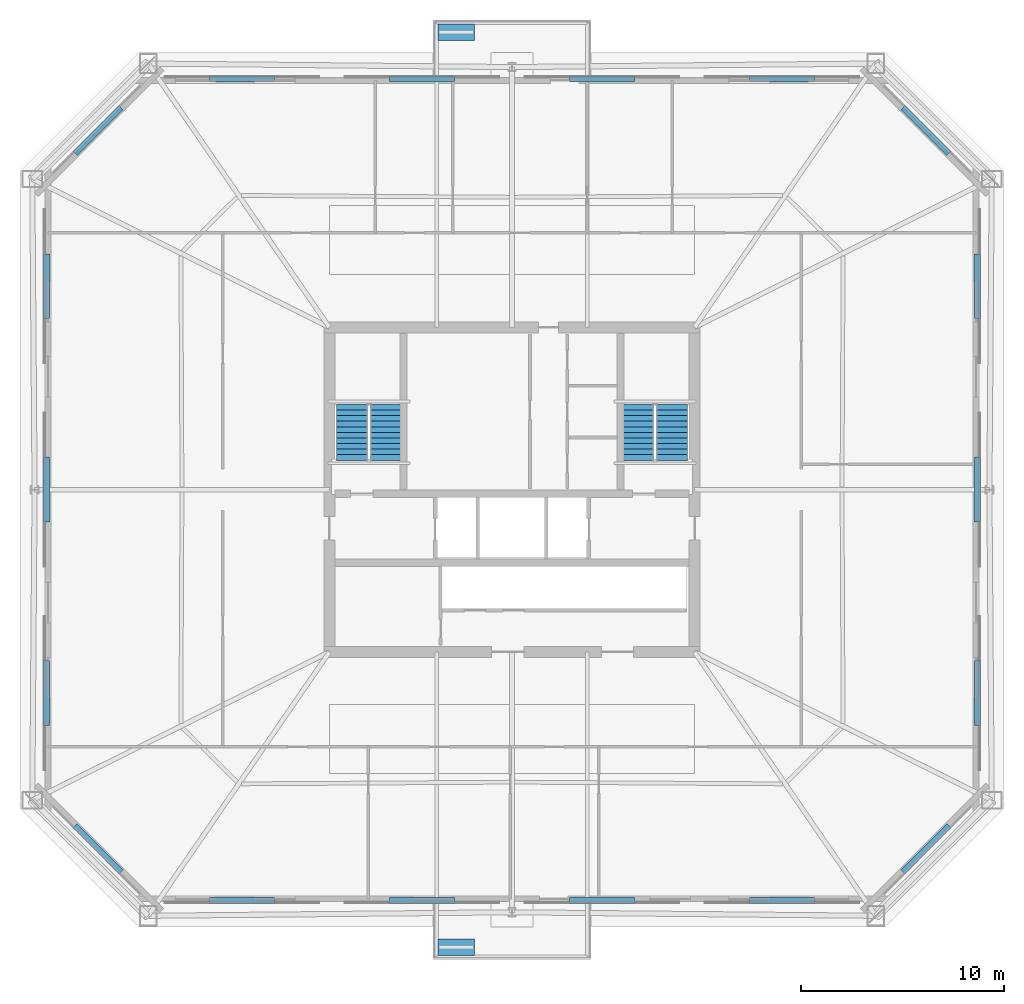
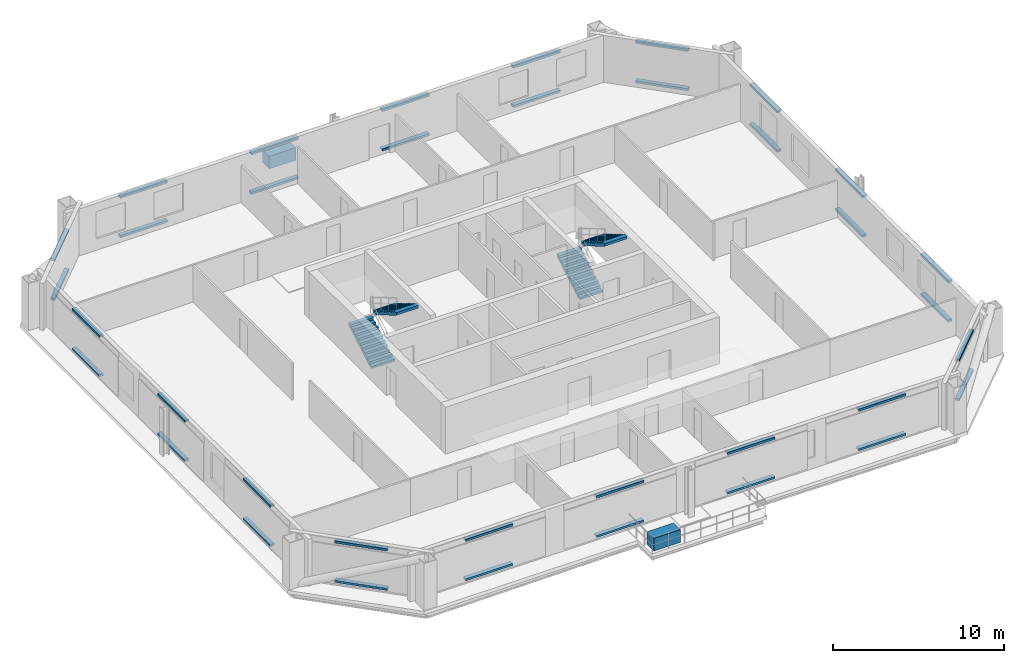
# One storey, part 5 of 7: 38 discrete accessories, 4 stair flights, 2 elements without a shape of their own.
"""IFC4 building model written with IfcOpenShell, lengths in metres."""

from ifc_helpers import new_model, si_unit, direction, frame, origin, origin_2d, place, context, subcontext, project, spatial, polyline, rectangle, outline, extrude, material, type_object, element, aggregate, save


model = new_model("IFC4")

# Units and contexts
model_context = context("Model", 3, precision=1e-05, world=origin(), true_north=direction((0.0, 1.0)))
body_context = subcontext(model_context, "Body", "Model", "MODEL_VIEW")
ifc_project = project(units=[si_unit("LENGTHUNIT", "METRE"), si_unit("AREAUNIT", "SQUARE_METRE"), si_unit("VOLUMEUNIT", "CUBIC_METRE"), si_unit("PLANEANGLEUNIT", "RADIAN"), si_unit("MASSUNIT", "GRAM", prefix="KILO")], contexts=[model_context])

# Site, building, storey
site_placement = place(None, origin())
site = spatial("IfcSite", under=ifc_project, at=site_placement, CompositionType="ELEMENT")
building_placement = place(site_placement, origin())
building = spatial("IfcBuilding", under=site, at=building_placement, Name="Caelvoria Tower", CompositionType="ELEMENT")
storey_placement = place(building_placement, frame((0.0, 0.0, 109.60009765625)))
storey = spatial("IfcBuildingStorey", under=building, at=storey_placement, Name="L28", CompositionType="ELEMENT", Elevation=109.60009765625)

# Stair, stair flights
ifc_material_1 = material(Name="Concrete C40/50", Category="concrete")
stair_type = type_object("IfcStairType", Name="Core Smokeproof Dogleg Stair Concrete C40/50", PredefinedType="HALF_TURN_STAIR", material=ifc_material_1)
stair_1_placement = place(storey_placement, origin())
stair_1 = element("IfcStair", 1, at=stair_1_placement, inside=storey, type_object=stair_type, Name="ST-01 Smokeproof Exit Stair L28", PredefinedType="HALF_TURN_STAIR")
ifc_material_2 = material(Name="Precast Concrete C40/50", Category="concrete")
stair_flight_type = type_object("IfcStairFlightType", Name="Precast Concrete C40/50 Stair Flight 1480", PredefinedType="STRAIGHT", material=ifc_material_2)
stair_flight_1_placement = place(storey_placement, frame((38.1298828125, 33.449951171875, 0.0), z_axis=(0.0, 0.0, 1.0), x_axis=(0.0, 1.0, 0.0)))
stair_flight_1 = element("IfcStairFlight", 2, at=stair_flight_1_placement, type_object=stair_flight_type, Name="ST-01 flight 1", NumberOfRisers=11, NumberOfTreads=10, PredefinedType="STRAIGHT", RiserHeight=0.1636, TreadLength=0.275, context=body_context, shape_type="SweptSolid", body=[
    extrude(outline(polyline([(0.0, 0.0), (0.0, 0.16357421875), (0.27490234375, 0.16357421875), (0.27490234375, 0.3271484375), (0.550048828125, 0.3271484375), (0.550048828125, 0.49072265625), (0.824951171875, 0.49072265625), (0.824951171875, 0.654296875), (1.10009765625, 0.654296875), (1.10009765625, 0.818115234375), (1.375, 0.818115234375), (1.375, 0.981689453125), (1.64990234375, 0.981689453125), (1.64990234375, 1.145263671875), (1.925048828125, 1.145263671875), (1.925048828125, 1.308837890625), (2.199951171875, 1.308837890625), (2.199951171875, 1.472412109375), (2.47509765625, 1.472412109375), (2.47509765625, 1.635986328125), (2.75, 1.635986328125), (2.75, 1.799560546875), (2.75, 1.449951171875), (0.312744140625, 0.0), (0.0, 0.0)])), frame((0.0, 0.77001953125, 0.0), z_axis=(0.0, -1.0, 0.0), x_axis=(1.0, 0.0, 0.0)), (0.0, 0.0, 1.0), 1.5400390625),
])
stair_flight_2_placement = place(storey_placement, frame((39.77001953125, 36.199951171875, 1.7998046875), z_axis=(0.0, 0.0, 1.0), x_axis=(0.0, -1.0, 0.0)))
stair_flight_2 = element("IfcStairFlight", 3, at=stair_flight_2_placement, type_object=stair_flight_type, Name="ST-01 flight 2", NumberOfRisers=11, NumberOfTreads=10, PredefinedType="STRAIGHT", RiserHeight=0.1636, TreadLength=0.275, context=body_context, shape_type="SweptSolid", body=[
    extrude(outline(polyline([(0.0, 0.0), (0.0, 0.16357421875), (0.27490234375, 0.16357421875), (0.27490234375, 0.3271484375), (0.550048828125, 0.3271484375), (0.550048828125, 0.49072265625), (0.824951171875, 0.49072265625), (0.824951171875, 0.654296875), (1.10009765625, 0.654296875), (1.10009765625, 0.818115234375), (1.375, 0.818115234375), (1.375, 0.981689453125), (1.64990234375, 0.981689453125), (1.64990234375, 1.145263671875), (1.925048828125, 1.145263671875), (1.925048828125, 1.308837890625), (2.199951171875, 1.308837890625), (2.199951171875, 1.472412109375), (2.47509765625, 1.472412109375), (2.47509765625, 1.635986328125), (2.75, 1.635986328125), (2.75, 1.799560546875), (2.75, 1.449951171875), (0.312744140625, 0.0), (0.0, 0.0)])), frame((0.0, 0.77001953125, 0.0), z_axis=(0.0, -1.0, 0.0), x_axis=(1.0, 0.0, 0.0)), (0.0, 0.0, 1.0), 1.5400390625),
])
aggregate(stair_1, [stair_flight_1, stair_flight_2])

stair_2_placement = place(storey_placement, origin())
stair_2 = element("IfcStair", 4, at=stair_2_placement, inside=storey, type_object=stair_type, Name="ST-02 Smokeproof Exit Stair L28", PredefinedType="HALF_TURN_STAIR")
stair_flight_3_placement = place(storey_placement, frame((52.22998046875, 33.449951171875, 0.0), z_axis=(0.0, 0.0, 1.0), x_axis=(0.0, 1.0, 0.0)))
stair_flight_3 = element("IfcStairFlight", 5, at=stair_flight_3_placement, type_object=stair_flight_type, Name="ST-02 flight 1", NumberOfRisers=11, NumberOfTreads=10, PredefinedType="STRAIGHT", RiserHeight=0.1636, TreadLength=0.275, context=body_context, shape_type="SweptSolid", body=[
    extrude(outline(polyline([(0.0, 0.0), (0.0, 0.16357421875), (0.27490234375, 0.16357421875), (0.27490234375, 0.3271484375), (0.550048828125, 0.3271484375), (0.550048828125, 0.49072265625), (0.824951171875, 0.49072265625), (0.824951171875, 0.654296875), (1.10009765625, 0.654296875), (1.10009765625, 0.818115234375), (1.375, 0.818115234375), (1.375, 0.981689453125), (1.64990234375, 0.981689453125), (1.64990234375, 1.145263671875), (1.925048828125, 1.145263671875), (1.925048828125, 1.308837890625), (2.199951171875, 1.308837890625), (2.199951171875, 1.472412109375), (2.47509765625, 1.472412109375), (2.47509765625, 1.635986328125), (2.75, 1.635986328125), (2.75, 1.799560546875), (2.75, 1.449951171875), (0.312744140625, 0.0), (0.0, 0.0)])), frame((0.0, 0.77001953125, 0.0), z_axis=(0.0, -1.0, 0.0), x_axis=(1.0, 0.0, 0.0)), (0.0, 0.0, 1.0), 1.5400390625),
])
stair_flight_4_placement = place(storey_placement, frame((53.8701171875, 36.199951171875, 1.7998046875), z_axis=(0.0, 0.0, 1.0), x_axis=(0.0, -1.0, 0.0)))
stair_flight_4 = element("IfcStairFlight", 6, at=stair_flight_4_placement, type_object=stair_flight_type, Name="ST-02 flight 2", NumberOfRisers=11, NumberOfTreads=10, PredefinedType="STRAIGHT", RiserHeight=0.1636, TreadLength=0.275, context=body_context, shape_type="SweptSolid", body=[
    extrude(outline(polyline([(0.0, 0.0), (0.0, 0.16357421875), (0.27490234375, 0.16357421875), (0.27490234375, 0.3271484375), (0.550048828125, 0.3271484375), (0.550048828125, 0.49072265625), (0.824951171875, 0.49072265625), (0.824951171875, 0.654296875), (1.10009765625, 0.654296875), (1.10009765625, 0.818115234375), (1.375, 0.818115234375), (1.375, 0.981689453125), (1.64990234375, 0.981689453125), (1.64990234375, 1.145263671875), (1.925048828125, 1.145263671875), (1.925048828125, 1.308837890625), (2.199951171875, 1.308837890625), (2.199951171875, 1.472412109375), (2.47509765625, 1.472412109375), (2.47509765625, 1.635986328125), (2.75, 1.635986328125), (2.75, 1.799560546875), (2.75, 1.449951171875), (0.312744140625, 0.0), (0.0, 0.0)])), frame((0.0, 0.77001953125, 0.0), z_axis=(0.0, -1.0, 0.0), x_axis=(1.0, 0.0, 0.0)), (0.0, 0.0, 1.0), 1.5400390625),
])
aggregate(stair_2, [stair_flight_3, stair_flight_4])

# Discrete accessories
ifc_material_3 = material(Name="Anodised Bronze Stainless Bracket", Category="bronze")
discrete_accessory_type_1 = type_object("IfcDiscreteAccessoryType", Name="Solar Screen Outrigger Support Bracket", PredefinedType="BRACKET", material=ifc_material_3)
for number, where, z_axis, x_axis, name in (
    (7, (32.695068359375, 11.7529296875, 0.23974609375), (0.0, 0.0, 1.0), (1.0, 0.0, 0.0), "Solar Screen Bracket L28-E0-00"),
    (8, (32.695068359375, 11.7529296875, 3.06005859375), (0.0, 0.0, 1.0), (1.0, 0.0, 0.0), "Upper Screen Band Bracket L28-E0-00"),
    (9, (41.56494140625, 11.7529296875, 0.23974609375), (0.0, 0.0, 1.0), (1.0, 0.0, 0.0), "Solar Screen Bracket L28-E0-01"),
    (10, (41.56494140625, 11.7529296875, 3.06005859375), (0.0, 0.0, 1.0), (1.0, 0.0, 0.0), "Upper Screen Band Bracket L28-E0-01"),
    (11, (50.43505859375, 11.7529296875, 0.23974609375), (0.0, 0.0, 1.0), (1.0, 0.0, 0.0), "Solar Screen Bracket L28-E0-02"),
    (12, (50.43505859375, 11.7529296875, 3.06005859375), (0.0, 0.0, 1.0), (1.0, 0.0, 0.0), "Upper Screen Band Bracket L28-E0-02"),
    (13, (59.304931640625, 11.7529296875, 0.23974609375), (0.0, 0.0, 1.0), (1.0, 0.0, 0.0), "Solar Screen Bracket L28-E0-03"),
    (14, (59.304931640625, 11.7529296875, 3.06005859375), (0.0, 0.0, 1.0), (1.0, 0.0, 0.0), "Upper Screen Band Bracket L28-E0-03"),
    (15, (66.403564453125, 14.29638671875, 0.23974609375), (0.0, 0.0, 1.0), (0.707106781187, 0.707106781187, 0.0), "Solar Screen Bracket L28-E1-00"),
    (16, (66.403564453125, 14.29638671875, 3.06005859375), (0.0, 0.0, 1.0), (0.707106781187, 0.707106781187, 0.0), "Upper Screen Band Bracket L28-E1-00"),
    (17, (68.947021484375, 21.973388671875, 0.23974609375), (0.0, 0.0, 1.0), (0.0, 1.0, 0.0), "Solar Screen Bracket L28-E2-00"),
    (18, (68.947021484375, 21.973388671875, 3.06005859375), (0.0, 0.0, 1.0), (0.0, 1.0, 0.0), "Upper Screen Band Bracket L28-E2-00"),
    (19, (68.947021484375, 32.0, 0.23974609375), (0.0, 0.0, 1.0), (0.0, 1.0, 0.0), "Solar Screen Bracket L28-E2-01"),
    (20, (68.947021484375, 32.0, 3.06005859375), (0.0, 0.0, 1.0), (0.0, 1.0, 0.0), "Upper Screen Band Bracket L28-E2-01"),
    (21, (68.947021484375, 42.026611328125, 0.23974609375), (0.0, 0.0, 1.0), (0.0, 1.0, 0.0), "Solar Screen Bracket L28-E2-02"),
    (22, (68.947021484375, 42.026611328125, 3.06005859375), (0.0, 0.0, 1.0), (0.0, 1.0, 0.0), "Upper Screen Band Bracket L28-E2-02"),
    (23, (66.403564453125, 49.70361328125, 0.23974609375), (0.0, 0.0, 1.0), (-0.707106781187, 0.707106781187, 0.0), "Solar Screen Bracket L28-E3-00"),
    (24, (66.403564453125, 49.70361328125, 3.06005859375), (0.0, 0.0, 1.0), (-0.707106781187, 0.707106781187, 0.0), "Upper Screen Band Bracket L28-E3-00"),
    (25, (59.304931640625, 52.2470703125, 0.23974609375), (0.0, 0.0, 1.0), (-1.0, 0.0, 0.0), "Solar Screen Bracket L28-E4-00"),
    (26, (59.304931640625, 52.2470703125, 3.06005859375), (0.0, 0.0, 1.0), (-1.0, 0.0, 0.0), "Upper Screen Band Bracket L28-E4-00"),
    (27, (50.43505859375, 52.2470703125, 0.23974609375), (0.0, 0.0, 1.0), (-1.0, 0.0, 0.0), "Solar Screen Bracket L28-E4-01"),
    (28, (50.43505859375, 52.2470703125, 3.06005859375), (0.0, 0.0, 1.0), (-1.0, 0.0, 0.0), "Upper Screen Band Bracket L28-E4-01"),
    (29, (41.56494140625, 52.2470703125, 0.23974609375), (0.0, 0.0, 1.0), (-1.0, 0.0, 0.0), "Solar Screen Bracket L28-E4-02"),
    (30, (41.56494140625, 52.2470703125, 3.06005859375), (0.0, 0.0, 1.0), (-1.0, 0.0, 0.0), "Upper Screen Band Bracket L28-E4-02"),
    (31, (32.695068359375, 52.2470703125, 0.23974609375), (0.0, 0.0, 1.0), (-1.0, 0.0, 0.0), "Solar Screen Bracket L28-E4-03"),
    (32, (32.695068359375, 52.2470703125, 3.06005859375), (0.0, 0.0, 1.0), (-1.0, 0.0, 0.0), "Upper Screen Band Bracket L28-E4-03"),
    (33, (25.596435546875, 49.70361328125, 0.23974609375), (0.0, 0.0, 1.0), (-0.707106781187, -0.707106781187, 0.0), "Solar Screen Bracket L28-E5-00"),
    (34, (25.596435546875, 49.70361328125, 3.06005859375), (0.0, 0.0, 1.0), (-0.707106781187, -0.707106781187, 0.0), "Upper Screen Band Bracket L28-E5-00"),
    (35, (23.052978515625, 42.026611328125, 0.23974609375), (0.0, 0.0, 1.0), (0.0, -1.0, 0.0), "Solar Screen Bracket L28-E6-00"),
    (36, (23.052978515625, 42.026611328125, 3.06005859375), (0.0, 0.0, 1.0), (0.0, -1.0, 0.0), "Upper Screen Band Bracket L28-E6-00"),
    (37, (23.052978515625, 32.0, 0.23974609375), (0.0, 0.0, 1.0), (0.0, -1.0, 0.0), "Solar Screen Bracket L28-E6-01"),
    (38, (23.052978515625, 32.0, 3.06005859375), (0.0, 0.0, 1.0), (0.0, -1.0, 0.0), "Upper Screen Band Bracket L28-E6-01"),
    (39, (23.052978515625, 21.973388671875, 0.23974609375), (0.0, 0.0, 1.0), (0.0, -1.0, 0.0), "Solar Screen Bracket L28-E6-02"),
    (40, (23.052978515625, 21.973388671875, 3.06005859375), (0.0, 0.0, 1.0), (0.0, -1.0, 0.0), "Upper Screen Band Bracket L28-E6-02"),
    (41, (25.596435546875, 14.29638671875, 0.23974609375), (0.0, 0.0, 1.0), (0.707106781187, -0.707106781187, 0.0), "Solar Screen Bracket L28-E7-00"),
    (42, (25.596435546875, 14.29638671875, 3.06005859375), (0.0, 0.0, 1.0), (0.707106781187, -0.707106781187, 0.0), "Upper Screen Band Bracket L28-E7-00"),
):
    element("IfcDiscreteAccessory", number, at=place(storey_placement, frame(where, z_axis=z_axis, x_axis=x_axis)), inside=storey, type_object=discrete_accessory_type_1, Name=name, PredefinedType="BRACKET", context=body_context, shape_type="SweptSolid", body=[
        extrude(rectangle(XDim=3.199951171875, YDim=0.280029296875, at=origin_2d()), origin(), (0.0, 0.0, 1.0), 0.159912109375),
    ])
ifc_material_4 = material(Name="Bronze-Clad Concrete C40/50 Planter Vessel", Category="concrete")
discrete_accessory_type_2 = type_object("IfcDiscreteAccessoryType", Name="Tree Balcony Structural Planter Vessel PLANTER", PredefinedType="USERDEFINED", material=ifc_material_4)
for number, where, z_axis, x_axis, name in (
    (43, (43.25, 9.449951171875, 0.0), (0.0, 0.0, 1.0), (1.0, 0.0, 0.0), "Tree Balcony Planter TB-L28-S"),
    (44, (43.25, 54.550048828125, 0.0), (0.0, 0.0, 1.0), (1.0, 0.0, 0.0), "Tree Balcony Planter TB-L28-N"),
):
    element("IfcDiscreteAccessory", number, at=place(storey_placement, frame(where, z_axis=z_axis, x_axis=x_axis)), inside=storey, type_object=discrete_accessory_type_2, Name=name, ObjectType="PLANTER", PredefinedType="USERDEFINED", context=body_context, shape_type="SweptSolid", body=[
        extrude(rectangle(XDim=1.800048828125, YDim=0.800048828125, at=origin_2d()), origin(), (0.0, 0.0, 1.0), 0.89990234375),
    ])

save(model, "model.ifc")
